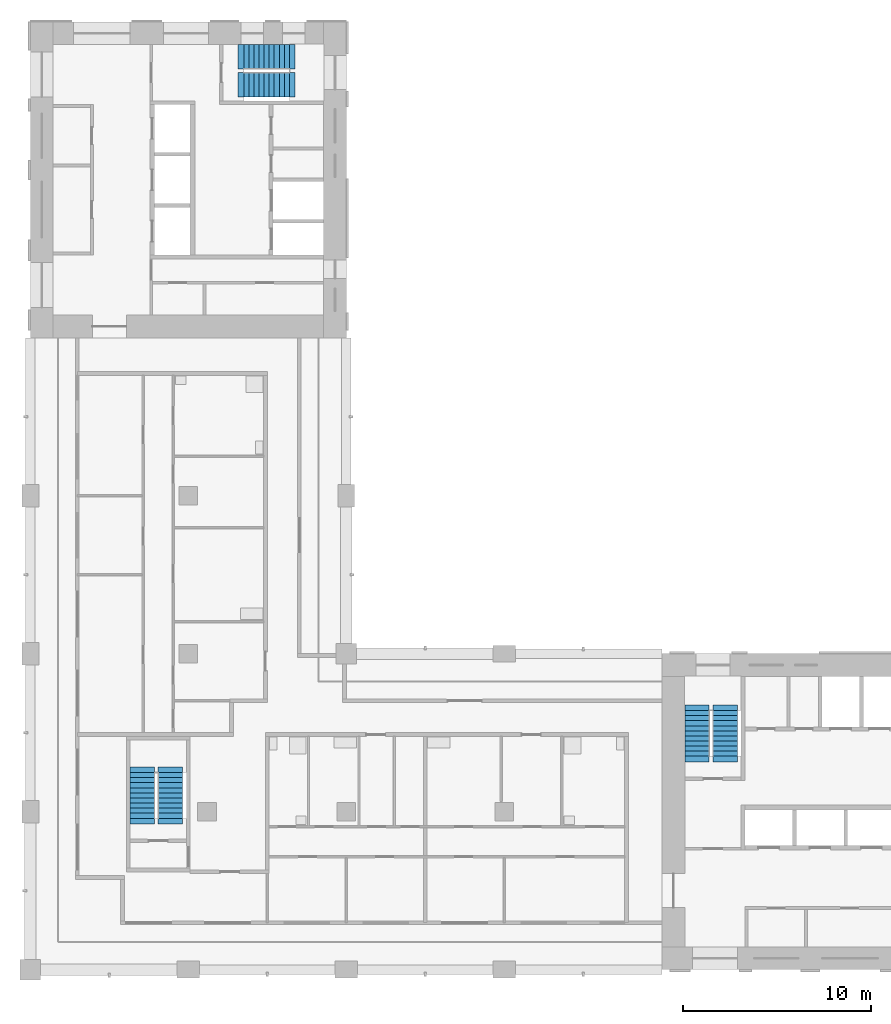
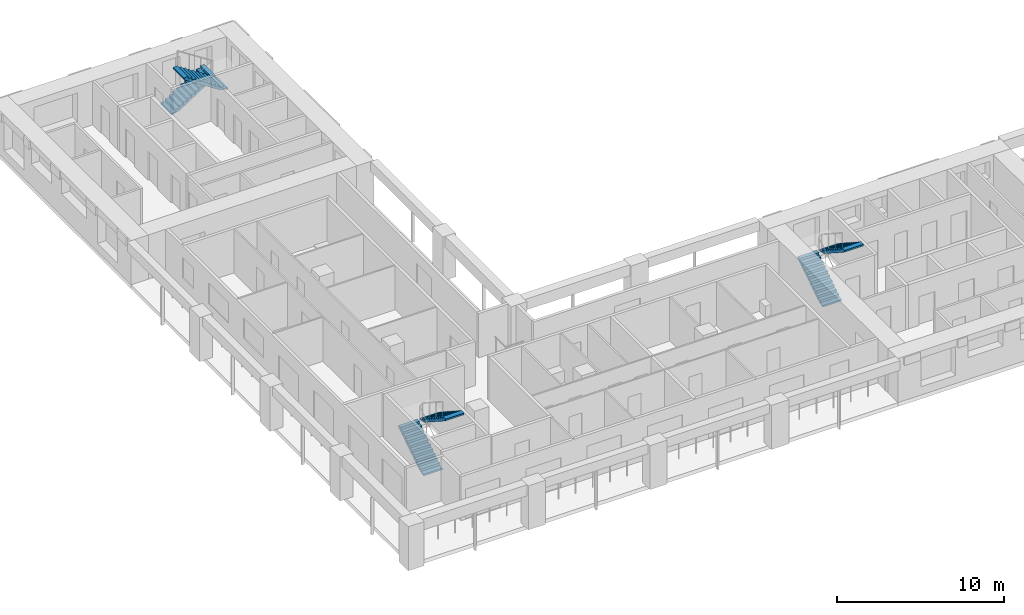
# One storey, part 7 of 11: 6 stair flights, 3 elements without a shape of their own.
"""IFC4 building model written with IfcOpenShell, lengths in metres."""

from ifc_helpers import new_model, si_unit, direction, frame, origin, place, context, subcontext, project, spatial, polyline, outline, extrude, material, type_object, element, aggregate, save


model = new_model("IFC4")

# Units and contexts
model_context = context("Model", 3, precision=1e-05, world=origin(), true_north=direction((0.0, 1.0)))
body_context = subcontext(model_context, "Body", "Model", "MODEL_VIEW")
ifc_project = project(units=[si_unit("LENGTHUNIT", "METRE"), si_unit("AREAUNIT", "SQUARE_METRE"), si_unit("VOLUMEUNIT", "CUBIC_METRE"), si_unit("PLANEANGLEUNIT", "RADIAN"), si_unit("MASSUNIT", "GRAM", prefix="KILO")], contexts=[model_context])

# Site, building, storey
site_placement = place(None, origin())
site = spatial("IfcSite", under=ifc_project, at=site_placement, CompositionType="ELEMENT")
building_placement = place(site_placement, origin())
building = spatial("IfcBuilding", under=site, at=building_placement, Name="Vermilion Gate Residences", CompositionType="ELEMENT")
storey_placement = place(building_placement, frame((0.0, 0.0, 200.199951171875)))
storey = spatial("IfcBuildingStorey", under=building, at=storey_placement, Name="L52", CompositionType="ELEMENT", Elevation=200.199951171875)

# Stair, stair flights
ifc_material_1 = material(Name="Concrete C50", Category="concrete")
stair_type = type_object("IfcStairType", Name="SPECIAL ESCAPE STAIR 1300", PredefinedType="HALF_TURN_STAIR", material=ifc_material_1)
stair_1_placement = place(storey_placement, origin())
stair_1 = element("IfcStair", 1, at=stair_1_placement, inside=storey, type_object=stair_type, Name="Special escape stair STA1-52", PredefinedType="HALF_TURN_STAIR")
ifc_material_2 = material(Name="Concrete C50", Category="concrete")
stair_flight_type = type_object("IfcStairFlightType", Name="STAIR FLIGHT 1300 RC C50", PredefinedType="STRAIGHT", material=ifc_material_2)
stair_flight_1_placement = place(storey_placement, frame((43.85009765625, 19.75, 0.0), z_axis=(0.0, 0.0, 1.0), x_axis=(0.0, 1.0, 0.0)))
stair_flight_1 = element("IfcStairFlight", 2, at=stair_flight_1_placement, type_object=stair_flight_type, Name="STA1-52 flight 1", NumberOfRisers=10, NumberOfTreads=9, PredefinedType="STRAIGHT", RiserHeight=0.175, TreadLength=0.27, context=body_context, shape_type="SweptSolid", body=[
    extrude(outline(polyline([(-0.300048828125, -0.14990234375), (-0.300048828125, -0.030029296875), (0.0, 0.0), (0.0, 0.175048828125), (0.27001953125, 0.175048828125), (0.27001953125, 0.35009765625), (0.5400390625, 0.35009765625), (0.5400390625, 0.52490234375), (0.81005859375, 0.52490234375), (0.81005859375, 0.699951171875), (1.080078125, 0.699951171875), (1.080078125, 0.875), (1.35009765625, 0.875), (1.35009765625, 1.050048828125), (1.6201171875, 1.050048828125), (1.6201171875, 1.22509765625), (1.889892578125, 1.22509765625), (1.889892578125, 1.39990234375), (2.159912109375, 1.39990234375), (2.159912109375, 1.574951171875), (2.429931640625, 1.574951171875), (2.429931640625, 1.75), (2.72998046875, 1.719970703125), (2.72998046875, 1.60009765625), (2.429931640625, 1.396484375), (0.275634765625, 0.0), (-0.300048828125, -0.14990234375)])), frame((0.0, 0.64990234375, 0.0), z_axis=(0.0, -1.0, 0.0), x_axis=(1.0, 0.0, 0.0)), (0.0, 0.0, 1.0), 1.300048828125),
])
stair_flight_2_placement = place(storey_placement, frame((45.35009765625, 22.179931640625, 1.75), z_axis=(0.0, 0.0, 1.0), x_axis=(0.0, -1.0, 0.0)))
stair_flight_2 = element("IfcStairFlight", 3, at=stair_flight_2_placement, type_object=stair_flight_type, Name="STA1-52 flight 2", NumberOfRisers=10, NumberOfTreads=9, PredefinedType="STRAIGHT", RiserHeight=0.175, TreadLength=0.27, context=body_context, shape_type="SweptSolid", body=[
    extrude(outline(polyline([(-0.300048828125, -0.14990234375), (-0.300048828125, -0.030029296875), (0.0, 0.0), (0.0, 0.175048828125), (0.27001953125, 0.175048828125), (0.27001953125, 0.35009765625), (0.5400390625, 0.35009765625), (0.5400390625, 0.52490234375), (0.81005859375, 0.52490234375), (0.81005859375, 0.699951171875), (1.080078125, 0.699951171875), (1.080078125, 0.875), (1.35009765625, 0.875), (1.35009765625, 1.050048828125), (1.6201171875, 1.050048828125), (1.6201171875, 1.22509765625), (1.889892578125, 1.22509765625), (1.889892578125, 1.39990234375), (2.159912109375, 1.39990234375), (2.159912109375, 1.574951171875), (2.429931640625, 1.574951171875), (2.429931640625, 1.75), (2.72998046875, 1.719970703125), (2.72998046875, 1.60009765625), (2.429931640625, 1.396484375), (0.275634765625, 0.0), (-0.300048828125, -0.14990234375)])), frame((0.0, 0.64990234375, 0.0), z_axis=(0.0, -1.0, 0.0), x_axis=(1.0, 0.0, 0.0)), (0.0, 0.0, 1.0), 1.300048828125),
])
aggregate(stair_1, [stair_flight_1, stair_flight_2])

stair_2_placement = place(storey_placement, origin())
stair_2 = element("IfcStair", 4, at=stair_2_placement, inside=storey, type_object=stair_type, Name="Special escape stair STB1-52", PredefinedType="HALF_TURN_STAIR")
stair_flight_3_placement = place(storey_placement, frame((19.75, 56.949951171875, 0.0), z_axis=(0.0, 0.0, 1.0), x_axis=(1.0, 0.0, 0.0)))
stair_flight_3 = element("IfcStairFlight", 5, at=stair_flight_3_placement, type_object=stair_flight_type, Name="STB1-52 flight 1", NumberOfRisers=10, NumberOfTreads=9, PredefinedType="STRAIGHT", RiserHeight=0.175, TreadLength=0.27, context=body_context, shape_type="SweptSolid", body=[
    extrude(outline(polyline([(-0.300048828125, -0.14990234375), (-0.300048828125, -0.030029296875), (0.0, 0.0), (0.0, 0.175048828125), (0.27001953125, 0.175048828125), (0.27001953125, 0.35009765625), (0.5400390625, 0.35009765625), (0.5400390625, 0.52490234375), (0.81005859375, 0.52490234375), (0.81005859375, 0.699951171875), (1.080078125, 0.699951171875), (1.080078125, 0.875), (1.35009765625, 0.875), (1.35009765625, 1.050048828125), (1.6201171875, 1.050048828125), (1.6201171875, 1.22509765625), (1.889892578125, 1.22509765625), (1.889892578125, 1.39990234375), (2.159912109375, 1.39990234375), (2.159912109375, 1.574951171875), (2.429931640625, 1.574951171875), (2.429931640625, 1.75), (2.72998046875, 1.719970703125), (2.72998046875, 1.60009765625), (2.429931640625, 1.396484375), (0.275634765625, 0.0), (-0.300048828125, -0.14990234375)])), frame((0.0, 0.64990234375, 0.0), z_axis=(0.0, -1.0, 0.0), x_axis=(1.0, 0.0, 0.0)), (0.0, 0.0, 1.0), 1.300048828125),
])
stair_flight_4_placement = place(storey_placement, frame((22.179931640625, 55.449951171875, 1.75), z_axis=(0.0, 0.0, 1.0), x_axis=(-1.0, 0.0, 0.0)))
stair_flight_4 = element("IfcStairFlight", 6, at=stair_flight_4_placement, type_object=stair_flight_type, Name="STB1-52 flight 2", NumberOfRisers=10, NumberOfTreads=9, PredefinedType="STRAIGHT", RiserHeight=0.175, TreadLength=0.27, context=body_context, shape_type="SweptSolid", body=[
    extrude(outline(polyline([(-0.300048828125, -0.14990234375), (-0.300048828125, -0.030029296875), (0.0, 0.0), (0.0, 0.175048828125), (0.27001953125, 0.175048828125), (0.27001953125, 0.35009765625), (0.5400390625, 0.35009765625), (0.5400390625, 0.52490234375), (0.81005859375, 0.52490234375), (0.81005859375, 0.699951171875), (1.080078125, 0.699951171875), (1.080078125, 0.875), (1.35009765625, 0.875), (1.35009765625, 1.050048828125), (1.6201171875, 1.050048828125), (1.6201171875, 1.22509765625), (1.889892578125, 1.22509765625), (1.889892578125, 1.39990234375), (2.159912109375, 1.39990234375), (2.159912109375, 1.574951171875), (2.429931640625, 1.574951171875), (2.429931640625, 1.75), (2.72998046875, 1.719970703125), (2.72998046875, 1.60009765625), (2.429931640625, 1.396484375), (0.275634765625, 0.0), (-0.300048828125, -0.14990234375)])), frame((0.0, 0.64990234375, 0.0), z_axis=(0.0, -1.0, 0.0), x_axis=(1.0, 0.0, 0.0)), (0.0, 0.0, 1.0), 1.300048828125),
])
aggregate(stair_2, [stair_flight_3, stair_flight_4])

stair_3_placement = place(storey_placement, origin())
stair_3 = element("IfcStair", 7, at=stair_3_placement, inside=storey, type_object=stair_type, Name="Special escape stair STC1-52", PredefinedType="HALF_TURN_STAIR")
stair_flight_5_placement = place(storey_placement, frame((14.35009765625, 16.449951171875, 0.0), z_axis=(0.0, 0.0, 1.0), x_axis=(0.0, 1.0, 0.0)))
stair_flight_5 = element("IfcStairFlight", 8, at=stair_flight_5_placement, type_object=stair_flight_type, Name="STC1-52 flight 1", NumberOfRisers=10, NumberOfTreads=9, PredefinedType="STRAIGHT", RiserHeight=0.175, TreadLength=0.27, context=body_context, shape_type="SweptSolid", body=[
    extrude(outline(polyline([(-0.300048828125, -0.14990234375), (-0.300048828125, -0.030029296875), (0.0, 0.0), (0.0, 0.175048828125), (0.27001953125, 0.175048828125), (0.27001953125, 0.35009765625), (0.5400390625, 0.35009765625), (0.5400390625, 0.52490234375), (0.81005859375, 0.52490234375), (0.81005859375, 0.699951171875), (1.080078125, 0.699951171875), (1.080078125, 0.875), (1.35009765625, 0.875), (1.35009765625, 1.050048828125), (1.6201171875, 1.050048828125), (1.6201171875, 1.22509765625), (1.889892578125, 1.22509765625), (1.889892578125, 1.39990234375), (2.159912109375, 1.39990234375), (2.159912109375, 1.574951171875), (2.429931640625, 1.574951171875), (2.429931640625, 1.75), (2.72998046875, 1.719970703125), (2.72998046875, 1.60009765625), (2.429931640625, 1.396484375), (0.275634765625, 0.0), (-0.300048828125, -0.14990234375)])), frame((0.0, 0.64990234375, 0.0), z_axis=(0.0, -1.0, 0.0), x_axis=(1.0, 0.0, 0.0)), (0.0, 0.0, 1.0), 1.300048828125),
])
stair_flight_6_placement = place(storey_placement, frame((15.85009765625, 18.8798828125, 1.75), z_axis=(0.0, 0.0, 1.0), x_axis=(0.0, -1.0, 0.0)))
stair_flight_6 = element("IfcStairFlight", 9, at=stair_flight_6_placement, type_object=stair_flight_type, Name="STC1-52 flight 2", NumberOfRisers=10, NumberOfTreads=9, PredefinedType="STRAIGHT", RiserHeight=0.175, TreadLength=0.27, context=body_context, shape_type="SweptSolid", body=[
    extrude(outline(polyline([(-0.300048828125, -0.14990234375), (-0.300048828125, -0.030029296875), (0.0, 0.0), (0.0, 0.175048828125), (0.27001953125, 0.175048828125), (0.27001953125, 0.35009765625), (0.5400390625, 0.35009765625), (0.5400390625, 0.52490234375), (0.81005859375, 0.52490234375), (0.81005859375, 0.699951171875), (1.080078125, 0.699951171875), (1.080078125, 0.875), (1.35009765625, 0.875), (1.35009765625, 1.050048828125), (1.6201171875, 1.050048828125), (1.6201171875, 1.22509765625), (1.889892578125, 1.22509765625), (1.889892578125, 1.39990234375), (2.159912109375, 1.39990234375), (2.159912109375, 1.574951171875), (2.429931640625, 1.574951171875), (2.429931640625, 1.75), (2.72998046875, 1.719970703125), (2.72998046875, 1.60009765625), (2.429931640625, 1.396484375), (0.275634765625, 0.0), (-0.300048828125, -0.14990234375)])), frame((0.0, 0.64990234375, 0.0), z_axis=(0.0, -1.0, 0.0), x_axis=(1.0, 0.0, 0.0)), (0.0, 0.0, 1.0), 1.300048828125),
])
aggregate(stair_3, [stair_flight_5, stair_flight_6])

save(model, "model.ifc")
